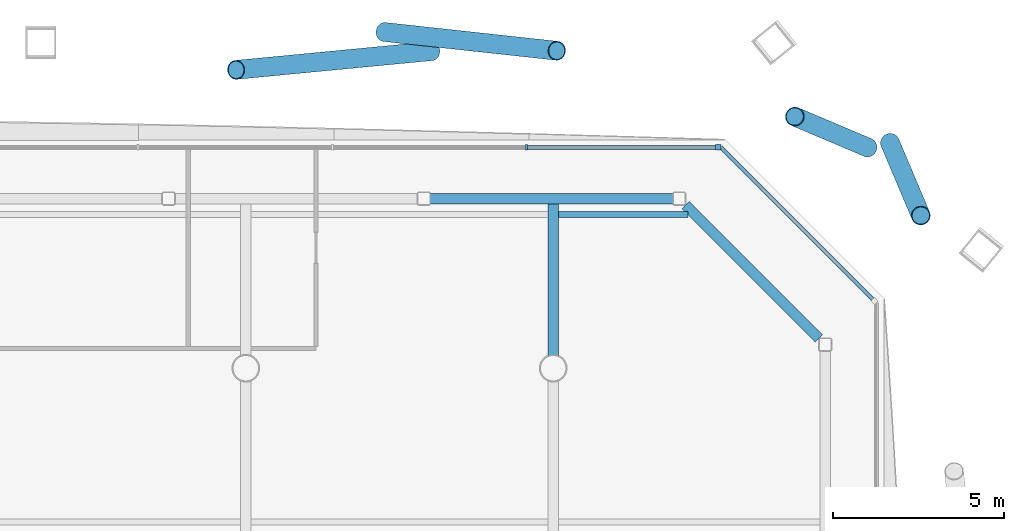
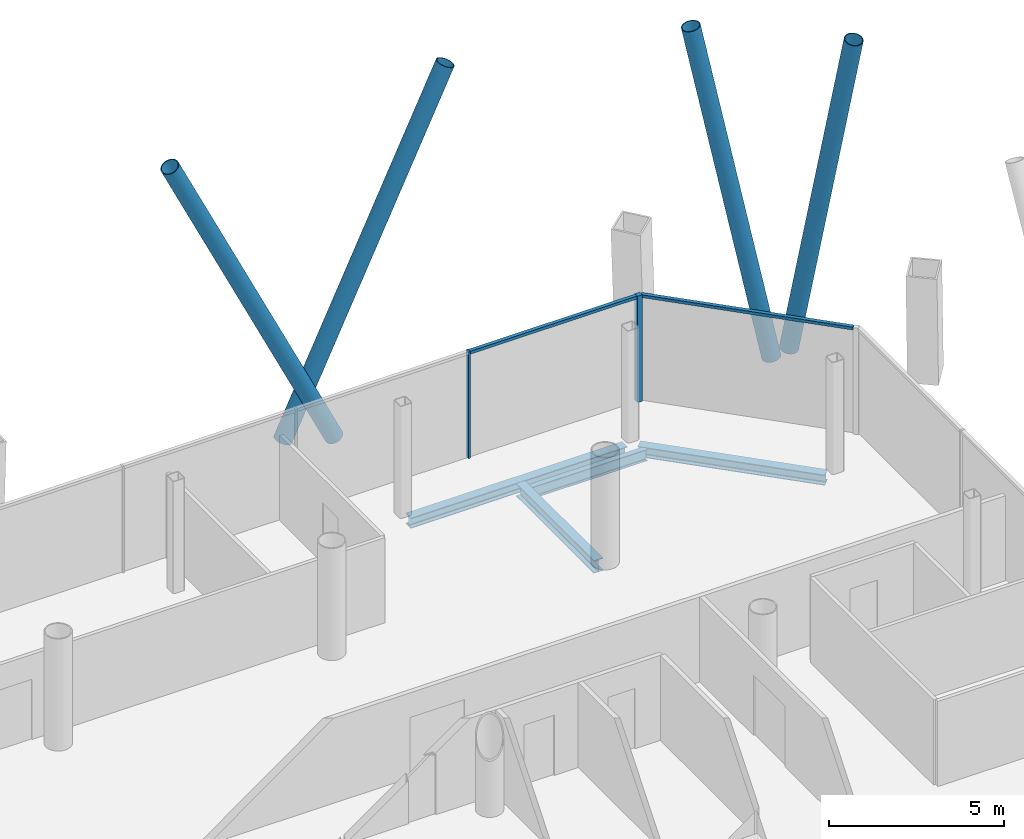
# One storey, part 12 of 22: 8 members, 4 beams, 2 elements without a shape of their own.
"""IFC4 building model written with IfcOpenShell, lengths in metres."""

from ifc_helpers import new_model, si_unit, direction, frame, origin, origin_2d, place, context, subcontext, project, spatial, rectangle, hollow_circle, i_section, extrude, material, material_profile, profile_set, type_object, element, aggregate, save


model = new_model("IFC4")

# Units and contexts
model_context = context("Model", 3, precision=1e-05, world=origin(), true_north=direction((0.0, 1.0)))
body_context = subcontext(model_context, "Body", "Model", "MODEL_VIEW")
ifc_project = project(units=[si_unit("LENGTHUNIT", "METRE"), si_unit("AREAUNIT", "SQUARE_METRE"), si_unit("VOLUMEUNIT", "CUBIC_METRE"), si_unit("PLANEANGLEUNIT", "RADIAN"), si_unit("MASSUNIT", "GRAM", prefix="KILO")], contexts=[model_context])

# Site, building, storey
site_placement = place(None, origin())
site = spatial("IfcSite", under=ifc_project, at=site_placement, CompositionType="ELEMENT")
building_placement = place(site_placement, origin())
building = spatial("IfcBuilding", under=site, at=building_placement, Name="Tskaro Facet Tower", CompositionType="ELEMENT")
storey_placement = place(building_placement, frame((0.0, 0.0, 85.5)))
storey = spatial("IfcBuildingStorey", under=building, at=storey_placement, Name="L20", CompositionType="ELEMENT", Elevation=85.5)

# Members
ifc_material_1 = material(Name="Steel S355J2H", Category="steel")
ifc_material_profile_1 = material_profile(ifc_material_1, hollow_circle(Radius=0.279541015625, WallThickness=0.02490234375, at=origin_2d()), Name="CHS 559x25")
ifc_profile_set_1 = profile_set([ifc_material_profile_1], Name="Steel S355J2H")
member_type_1 = type_object("IfcMemberType", Name="CHS 559x25 brace", PredefinedType="BRACE", material=ifc_profile_set_1)
for number, where, z_axis, x_axis, name in (
    (1, (27.202392578125, 24.46533203125, 0.0), (-0.178565725619, 0.075639155813, 0.981016309621), (-0.390042854947, -0.920796704656, 0.0), "CHS 559x25 XB06A/2"),
    (2, (27.860595703125, 24.59765625, 0.0), (0.075639155813, -0.178565725619, 0.981016309621), (0.920796704656, 0.390042854947, 0.0), "CHS 559x25 XB06B/2"),
):
    element("IfcMember", number, at=place(storey_placement, frame(where, z_axis=z_axis, x_axis=x_axis)), inside=storey, type_object=member_type_1, Name=name, PredefinedType="BRACE", context=body_context, shape_type="SweptSolid", body=[
        extrude(hollow_circle(Radius=0.279541015625, WallThickness=0.02490234375, at=origin_2d()), origin(), (0.0, 0.0, 1.0), 11.92626953125),
    ])
member_1_placement = place(storey_placement, frame((14.429443359375, 27.283447265625, 0.0), z_axis=(-0.438488892117, -0.042037385137, 0.897752944713), x_axis=(0.095431214761, -0.995436026698, 0.0)))
element("IfcMember", 3, at=member_1_placement, inside=storey, type_object=member_type_1, Name="CHS 559x25 XB07A/2", PredefinedType="BRACE", context=body_context, shape_type="SweptSolid", body=[
    extrude(hollow_circle(Radius=0.279541015625, WallThickness=0.02490234375, at=origin_2d()), origin(), (0.0, 0.0, 1.0), 13.032470703125),
])
member_2_placement = place(storey_placement, frame((13.070556640625, 27.842529296875, 0.0), z_axis=(0.394939039731, -0.042990600475, 0.917700911609), x_axis=(0.108214526009, 0.994127565436, 0.0)))
element("IfcMember", 4, at=member_2_placement, inside=storey, type_object=member_type_1, Name="CHS 559x25 XB07B/2", PredefinedType="BRACE", context=body_context, shape_type="SweptSolid", body=[
    extrude(hollow_circle(Radius=0.279541015625, WallThickness=0.02490234375, at=origin_2d()), origin(), (0.0, 0.0, 1.0), 12.749267578125),
])

# Curtain wall, members
ifc_material_2 = material(Name="Bronze anodised aluminium 6063-T6", Category="aluminium")
curtain_wall_type = type_object("IfcCurtainWallType", Name="Bronze office curtain wall (FW1)", PredefinedType="NOTDEFINED", material=ifc_material_2)
curtain_wall_1_placement = place(storey_placement, origin())
curtain_wall_1 = element("IfcCurtainWall", 5, at=curtain_wall_1_placement, inside=storey, type_object=curtain_wall_type, Name="FW1 north facet L20", PredefinedType="NOTDEFINED")
ifc_material_profile_2 = material_profile(ifc_material_2, rectangle(XDim=0.159912109375, YDim=0.159912109375, at=origin_2d()), Name="Corner post 160x160")
ifc_profile_set_2 = profile_set([ifc_material_profile_2], Name="Bronze anodised aluminium 6063-T6")
member_type_2 = type_object("IfcMemberType", Name="FW1 bronze corner post 160x160", PredefinedType="MULLION", material=ifc_profile_set_2)
member_3_placement = place(storey_placement, frame((22.8330078125, 24.462890625, 0.0), z_axis=(0.0, 0.0, 1.0), x_axis=(-1.0, 0.0, 0.0)))
member_3 = element("IfcMember", 6, at=member_3_placement, type_object=member_type_2, Name="FW1 north corner post", PredefinedType="MULLION", context=body_context, shape_type="SweptSolid", body=[
    extrude(rectangle(XDim=0.159912109375, YDim=0.159912109375, at=origin_2d()), origin(), (0.0, 0.0, 1.0), 3.699951171875),
])
ifc_material_profile_3 = material_profile(ifc_material_2, rectangle(XDim=0.06005859375, YDim=0.159912109375, at=origin_2d()), Name="Mullion 60x160")
ifc_profile_set_3 = profile_set([ifc_material_profile_3], Name="Bronze anodised aluminium 6063-T6")
member_type_3 = type_object("IfcMemberType", Name="FW1 bronze mullion 60x160", PredefinedType="MULLION", material=ifc_profile_set_3)
member_4_placement = place(storey_placement, frame((17.2236328125, 24.462890625, 0.0), z_axis=(0.0, 0.0, 1.0), x_axis=(-1.0, 0.0, 0.0)))
member_4 = element("IfcMember", 7, at=member_4_placement, type_object=member_type_3, Name="FW1 north mullion 1", PredefinedType="MULLION", context=body_context, shape_type="SweptSolid", body=[
    extrude(rectangle(XDim=0.06005859375, YDim=0.159912109375, at=origin_2d()), origin(), (0.0, 0.0, 1.0), 3.699951171875),
])

# Curtain wall, member
curtain_wall_2_placement = place(storey_placement, origin())
curtain_wall_2 = element("IfcCurtainWall", 8, at=curtain_wall_2_placement, inside=storey, type_object=curtain_wall_type, Name="FW1 north-east facet L20", PredefinedType="NOTDEFINED")
ifc_material_profile_4 = material_profile(ifc_material_2, rectangle(XDim=0.1201171875, YDim=0.10009765625, at=origin_2d()), Name="Transom 120x100")
ifc_profile_set_4 = profile_set([ifc_material_profile_4], Name="Bronze anodised aluminium 6063-T6")
member_type_4 = type_object("IfcMemberType", Name="FW1 bronze transom 120x100", PredefinedType="USERDEFINED", material=ifc_profile_set_4)
member_5_placement = place(storey_placement, frame((27.349853515625, 20.026123046875, 3.64990234375), z_axis=(-0.707106781187, 0.707106781187, 0.0), x_axis=(-0.707106781187, -0.707106781187, 0.0)))
member_5 = element("IfcMember", 9, at=member_5_placement, type_object=member_type_4, Name="FW1 north-east transom 1.1", ObjectType="TRANSOM", PredefinedType="USERDEFINED", context=body_context, shape_type="SweptSolid", body=[
    extrude(rectangle(XDim=0.1201171875, YDim=0.10009765625, at=origin_2d()), origin(), (0.0, 0.0, 1.0), 6.274658203125),
])
aggregate(curtain_wall_2, [member_5])

# Member
member_6_placement = place(storey_placement, frame((22.7529296875, 24.462890625, 3.64990234375), z_axis=(-1.0, 0.0, 0.0), x_axis=(0.0, -1.0, 0.0)))
member_6 = element("IfcMember", 10, at=member_6_placement, type_object=member_type_4, Name="FW1 north transom 1.1", ObjectType="TRANSOM", PredefinedType="USERDEFINED", context=body_context, shape_type="SweptSolid", body=[
    extrude(rectangle(XDim=0.1201171875, YDim=0.10009765625, at=origin_2d()), origin(), (0.0, 0.0, 1.0), 5.499267578125),
])

aggregate(curtain_wall_1, [member_3, member_4, member_6])

# Beams
ifc_material_3 = material(Name="Steel S355J2", Category="steel")
ifc_material_profile_5 = material_profile(ifc_material_3, i_section(OverallWidth=0.300048828125, OverallDepth=0.360107421875, WebThickness=0.012451171875, FlangeThickness=0.0224609375, FilletRadius=0.027099609375, at=origin_2d()), Name="HE 360 B")
ifc_profile_set_5 = profile_set([ifc_material_profile_5], Name="Steel S355J2")
beam_type_1 = type_object("IfcBeamType", Name="HE 360 B ring beam", PredefinedType="BEAM", material=ifc_profile_set_5)
beam_1_placement = place(storey_placement, frame((25.779052734375, 18.8759765625, -0.320068359375), z_axis=(-0.707106781187, 0.707106781187, 0.0), x_axis=(-0.707106781187, -0.707106781187, 0.0)))
element("IfcBeam", 11, at=beam_1_placement, inside=storey, type_object=beam_type_1, Name="HE 360 B EB12-2", PredefinedType="BEAM", context=body_context, shape_type="SweptSolid", body=[
    extrude(i_section(OverallWidth=0.300048828125, OverallDepth=0.360107421875, WebThickness=0.012451171875, FlangeThickness=0.0224609375, FilletRadius=0.027099609375, at=origin_2d()), origin(), (0.0, 0.0, 1.0), 5.519775390625),
])
beam_2_placement = place(storey_placement, frame((21.510009765625, 22.965087890625, -0.320068359375), z_axis=(-1.0, 0.0, 0.0), x_axis=(0.0, -1.0, 0.0)))
element("IfcBeam", 12, at=beam_2_placement, inside=storey, type_object=beam_type_1, Name="HE 360 B EB13-2", PredefinedType="BEAM", context=body_context, shape_type="SweptSolid", body=[
    extrude(i_section(OverallWidth=0.300048828125, OverallDepth=0.360107421875, WebThickness=0.012451171875, FlangeThickness=0.0224609375, FilletRadius=0.027099609375, at=origin_2d()), origin(), (0.0, 0.0, 1.0), 7.115966796875),
])
ifc_material_profile_6 = material_profile(ifc_material_3, i_section(OverallWidth=0.300048828125, OverallDepth=0.43994140625, WebThickness=0.011474609375, FlangeThickness=0.02099609375, FilletRadius=0.027099609375, at=origin_2d()), Name="HE 450 A")
ifc_profile_set_6 = profile_set([ifc_material_profile_6], Name="Steel S355J2")
beam_type_2 = type_object("IfcBeamType", Name="HE 450 A girder", PredefinedType="BEAM", material=ifc_profile_set_6)
beam_3_placement = place(storey_placement, frame((18.0, 18.37646484375, -0.360107421875), z_axis=(0.0, 1.0, 0.0), x_axis=(-1.0, 0.0, 0.0)))
element("IfcBeam", 13, at=beam_3_placement, inside=storey, type_object=beam_type_2, Name="HE 450 A GB6-6-2", PredefinedType="BEAM", context=body_context, shape_type="SweptSolid", body=[
    extrude(i_section(OverallWidth=0.300048828125, OverallDepth=0.43994140625, WebThickness=0.011474609375, FlangeThickness=0.02099609375, FilletRadius=0.027099609375, at=origin_2d()), origin(), (0.0, 0.0, 1.0), 4.4384765625),
])
ifc_material_profile_7 = material_profile(ifc_material_3, i_section(OverallWidth=0.179931640625, OverallDepth=0.39990234375, WebThickness=0.008544921875, FlangeThickness=0.013427734375, FilletRadius=0.02099609375, at=origin_2d()), Name="IPE 400")
ifc_profile_set_7 = profile_set([ifc_material_profile_7], Name="Steel S355J2")
beam_type_3 = type_object("IfcBeamType", Name="IPE 400 secondary beam", PredefinedType="BEAM", material=ifc_profile_set_7)
beam_4_placement = place(storey_placement, frame((18.14990234375, 22.5, -0.340087890625), z_axis=(1.0, 0.0, 0.0), x_axis=(0.0, 1.0, 0.0)))
element("IfcBeam", 14, at=beam_4_placement, inside=storey, type_object=beam_type_3, Name="IPE 400 SB6a-5-2", PredefinedType="BEAM", context=body_context, shape_type="SweptSolid", body=[
    extrude(i_section(OverallWidth=0.179931640625, OverallDepth=0.39990234375, WebThickness=0.008544921875, FlangeThickness=0.013427734375, FilletRadius=0.02099609375, at=origin_2d()), origin(), (0.0, 0.0, 1.0), 3.793212890625),
])

save(model, "model.ifc")
